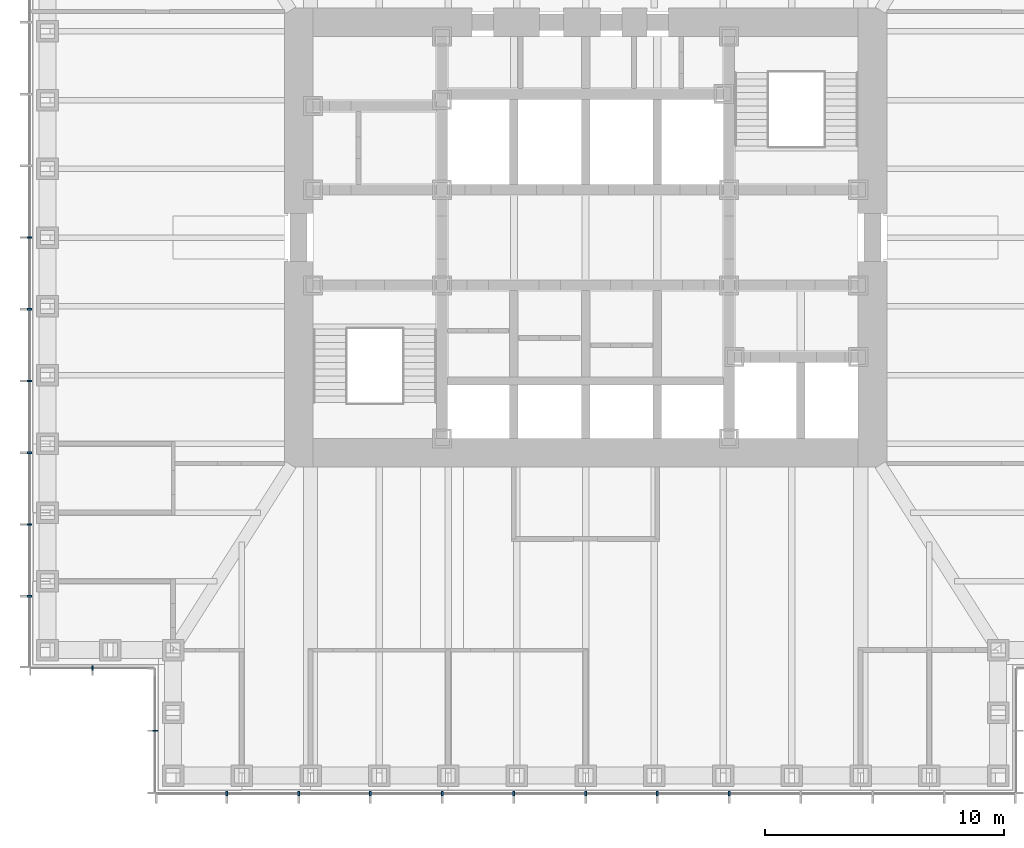
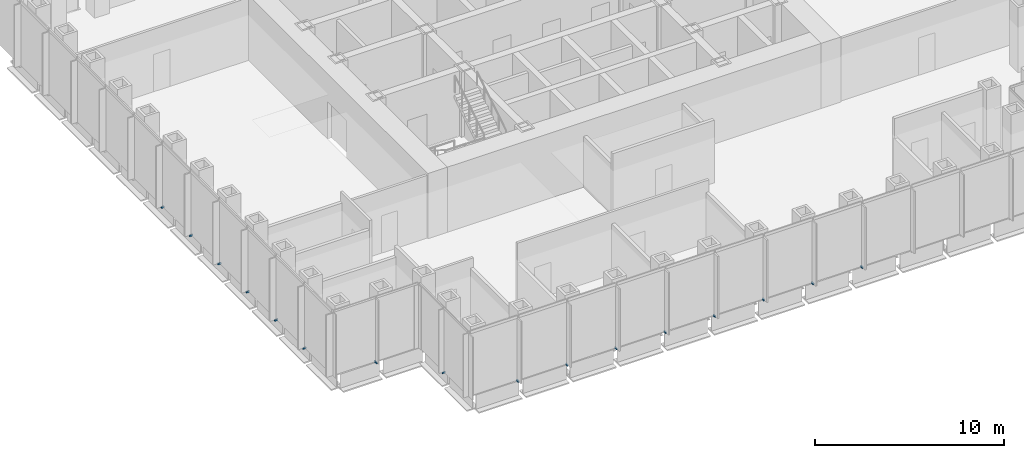
# One storey, part 11 of 16: 16 discrete accessories.
"""IFC4 building model written with IfcOpenShell, lengths in metres."""

from ifc_helpers import new_model, si_unit, direction, frame, origin, origin_2d, place, context, subcontext, project, spatial, rectangle, extrude, element, save


model = new_model("IFC4")

# Units and contexts
model_context = context("Model", 3, precision=1e-05, world=origin(), true_north=direction((0.0, 1.0)))
body_context = subcontext(model_context, "Body", "Model", "MODEL_VIEW")
ifc_project = project(units=[si_unit("LENGTHUNIT", "METRE"), si_unit("AREAUNIT", "SQUARE_METRE"), si_unit("VOLUMEUNIT", "CUBIC_METRE"), si_unit("PLANEANGLEUNIT", "RADIAN"), si_unit("MASSUNIT", "GRAM", prefix="KILO")], contexts=[model_context])

# Site, building, storey
site_placement = place(None, origin())
site = spatial("IfcSite", under=ifc_project, at=site_placement, CompositionType="ELEMENT")
building_placement = place(site_placement, origin())
building = spatial("IfcBuilding", under=site, at=building_placement, Name="Daluyong Arena Tower", CompositionType="ELEMENT")
storey_placement = place(building_placement, frame((0.0, 0.0, 116.5)))
storey = spatial("IfcBuildingStorey", under=building, at=storey_placement, Name="L25", CompositionType="ELEMENT", Elevation=116.5)

# Discrete accessories
for number, where, z_axis, x_axis, name in (
    (1, (41.0, 56.75, -0.10009765625), (0.0, 0.0, 1.0), (1.0, 0.0, 0.0), "curtain wall L25 S anchor bracket 2"),
    (2, (44.0, 56.75, -0.10009765625), (0.0, 0.0, 1.0), (1.0, 0.0, 0.0), "curtain wall L25 S anchor bracket 3"),
    (3, (47.0, 56.75, -0.10009765625), (0.0, 0.0, 1.0), (1.0, 0.0, 0.0), "curtain wall L25 S anchor bracket 4"),
    (4, (50.0, 56.75, -0.10009765625), (0.0, 0.0, 1.0), (1.0, 0.0, 0.0), "curtain wall L25 S anchor bracket 5"),
    (5, (53.0, 56.75, -0.10009765625), (0.0, 0.0, 1.0), (1.0, 0.0, 0.0), "curtain wall L25 S anchor bracket 6"),
    (6, (56.0, 56.75, -0.10009765625), (0.0, 0.0, 1.0), (1.0, 0.0, 0.0), "curtain wall L25 S anchor bracket 7"),
    (7, (59.0, 56.75, -0.10009765625), (0.0, 0.0, 1.0), (1.0, 0.0, 0.0), "curtain wall L25 S anchor bracket 8"),
    (8, (62.0, 56.75, -0.10009765625), (0.0, 0.0, 1.0), (1.0, 0.0, 0.0), "curtain wall L25 S anchor bracket 9"),
    (9, (32.75, 80.0, -0.10009765625), (0.0, 0.0, 1.0), (0.0, -1.0, 0.0), "curtain wall L25 W anchor bracket 7"),
    (10, (32.75, 77.0, -0.10009765625), (0.0, 0.0, 1.0), (0.0, -1.0, 0.0), "curtain wall L25 W anchor bracket 8"),
    (11, (32.75, 74.0, -0.10009765625), (0.0, 0.0, 1.0), (0.0, -1.0, 0.0), "curtain wall L25 W anchor bracket 9"),
    (12, (32.75, 71.0, -0.10009765625), (0.0, 0.0, 1.0), (0.0, -1.0, 0.0), "curtain wall L25 W anchor bracket 10"),
    (13, (32.75, 68.0, -0.10009765625), (0.0, 0.0, 1.0), (0.0, -1.0, 0.0), "curtain wall L25 W anchor bracket 11"),
    (14, (32.75, 65.0, -0.10009765625), (0.0, 0.0, 1.0), (0.0, -1.0, 0.0), "curtain wall L25 W anchor bracket 12"),
):
    element("IfcDiscreteAccessory", number, at=place(storey_placement, frame(where, z_axis=z_axis, x_axis=x_axis)), inside=storey, Name=name, PredefinedType="BRACKET", context=body_context, shape_type="SweptSolid", body=[
        extrude(rectangle(XDim=0.080078125, YDim=0.199951171875, at=origin_2d()), origin(), (0.0, 0.0, 1.0), 0.10009765625),
    ])
for number, where, z_axis, x_axis, name in (
    (15, (35.375, 62.0, -0.10009765625), (0.0, 0.0, 1.0), (1.0, 0.0, 0.0), "curtain wall L25 SW-S anchor bracket 2"),
    (16, (38.0, 59.375, -0.10009765625), (0.0, 0.0, 1.0), (0.0, -1.0, 0.0), "curtain wall L25 SW-W anchor bracket 2"),
):
    element("IfcDiscreteAccessory", number, at=place(storey_placement, frame(where, z_axis=z_axis, x_axis=x_axis)), inside=storey, Name=name, PredefinedType="BRACKET", context=body_context, shape_type="SweptSolid", body=[
        extrude(rectangle(XDim=0.06005859375, YDim=0.199951171875, at=origin_2d()), origin(), (0.0, 0.0, 1.0), 0.10009765625),
    ])

save(model, "model.ifc")
